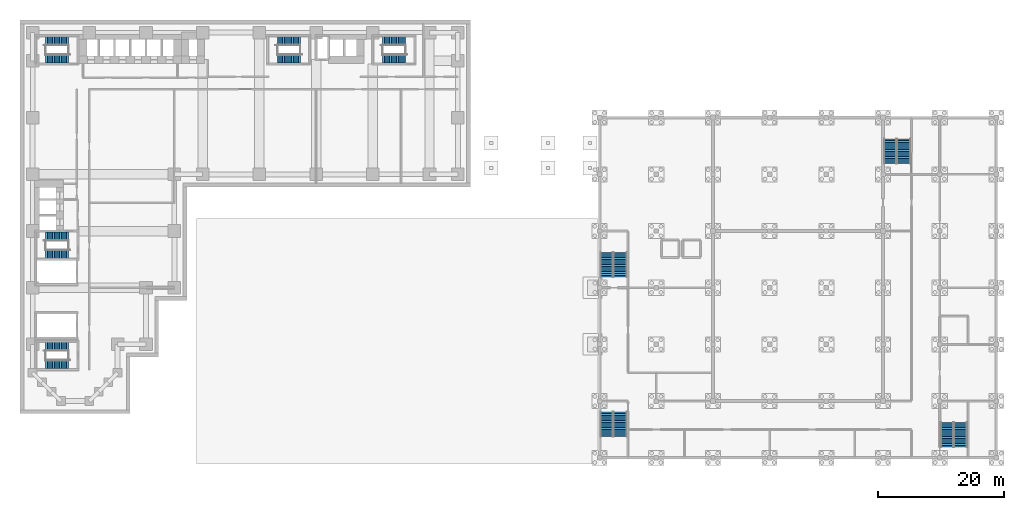
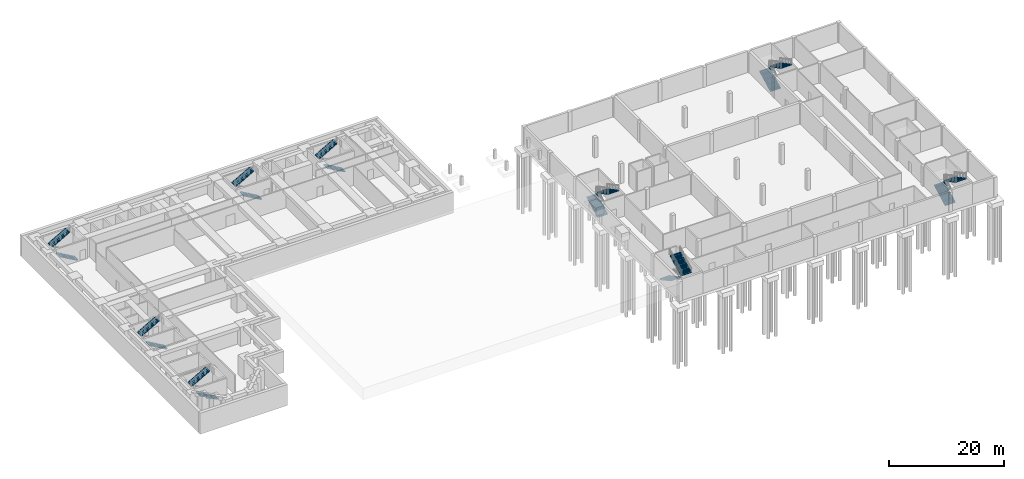
# One storey, part 10 of 12: 18 stair flights, 9 elements without a shape of their own.
"""IFC4 building model written with IfcOpenShell, lengths in metres."""

from ifc_helpers import new_model, si_unit, direction, frame, origin, place, context, subcontext, project, spatial, polyline, outline, extrude, material, layer, layer_set, type_object, element, aggregate, save


model = new_model("IFC4")

# Units and contexts
model_context = context("Model", 3, precision=1e-05, world=origin(), true_north=direction((0.0, 1.0)))
body_context = subcontext(model_context, "Body", "Model", "MODEL_VIEW")
ifc_project = project(units=[si_unit("LENGTHUNIT", "METRE"), si_unit("AREAUNIT", "SQUARE_METRE"), si_unit("VOLUMEUNIT", "CUBIC_METRE"), si_unit("PLANEANGLEUNIT", "RADIAN"), si_unit("MASSUNIT", "GRAM", prefix="KILO")], contexts=[model_context])

# Site, building, storey
site_placement = place(None, origin())
site = spatial("IfcSite", under=ifc_project, at=site_placement, CompositionType="ELEMENT")
building_placement = place(site_placement, origin())
building = spatial("IfcBuilding", under=site, at=building_placement, Name="Firuza Court", CompositionType="ELEMENT")
storey_placement = place(building_placement, frame((0.0, 0.0, -4.5)))
storey = spatial("IfcBuildingStorey", under=building, at=storey_placement, Name="B1", CompositionType="ELEMENT", Elevation=-4.5)

# Stair, stair flights
ifc_material_1 = material(Name="Concrete C40/50 precast", Category="concrete")
stair_type_1 = type_object("IfcStairType", Name="Stair 1350 x 4500 2 flights", PredefinedType="HALF_TURN_STAIR", material=ifc_material_1)
stair_1_placement = place(storey_placement, origin())
stair_1 = element("IfcStair", 1, at=stair_1_placement, inside=storey, type_object=stair_type_1, Name="Stair 1 B1", PredefinedType="HALF_TURN_STAIR")
ifc_material_2 = material(Name="Concrete C40/50 precast", Category="concrete")
stair_flight_type_1 = type_object("IfcStairFlightType", Name="Flight 1350 riser 160.7", PredefinedType="STRAIGHT", material=ifc_material_2)
stair_flight_1_placement = place(storey_placement, frame((42.5, 54.324951171875, 0.0), z_axis=(0.0, 0.0, 1.0), x_axis=(-1.0, 0.0, 0.0)))
stair_flight_1 = element("IfcStairFlight", 2, at=stair_flight_1_placement, type_object=stair_flight_type_1, Name="S1 flight 1", NumberOfRisers=14, NumberOfTreads=13, PredefinedType="STRAIGHT", RiserHeight=0.160714286, TreadLength=0.28, context=body_context, shape_type="SweptSolid", body=[
    extrude(outline(polyline([(0.0, 0.0), (0.0, 0.16064453125), (0.280029296875, 0.16064453125), (0.280029296875, 0.321533203125), (0.56005859375, 0.321533203125), (0.56005859375, 0.482177734375), (0.840087890625, 0.482177734375), (0.840087890625, 0.642822265625), (1.1201171875, 0.642822265625), (1.1201171875, 0.803466796875), (1.39990234375, 0.803466796875), (1.39990234375, 0.96435546875), (1.679931640625, 0.96435546875), (1.679931640625, 1.125), (1.9599609375, 1.125), (1.9599609375, 1.28564453125), (2.239990234375, 1.28564453125), (2.239990234375, 1.446533203125), (2.52001953125, 1.446533203125), (2.52001953125, 1.607177734375), (2.800048828125, 1.607177734375), (2.800048828125, 1.767822265625), (3.080078125, 1.767822265625), (3.080078125, 1.928466796875), (3.360107421875, 1.928466796875), (3.360107421875, 2.08935546875), (3.639892578125, 2.08935546875), (3.639892578125, 2.25), (3.639892578125, 1.91650390625), (0.301025390625, 0.0), (0.0, 0.0)])), frame((0.0, 0.675048828125, 0.0), z_axis=(0.0, -1.0, 0.0), x_axis=(1.0, 0.0, 0.0)), (0.0, 0.0, 1.0), 1.35009765625),
])
stair_flight_2_placement = place(storey_placement, frame((38.860107421875, 57.175048828125, 2.25), z_axis=(0.0, 0.0, 1.0), x_axis=(1.0, 0.0, 0.0)))
stair_flight_2 = element("IfcStairFlight", 3, at=stair_flight_2_placement, type_object=stair_flight_type_1, Name="S1 flight 2", NumberOfRisers=14, NumberOfTreads=13, PredefinedType="STRAIGHT", RiserHeight=0.160714286, TreadLength=0.28, context=body_context, shape_type="SweptSolid", body=[
    extrude(outline(polyline([(0.0, 0.0), (0.0, 0.16064453125), (0.280029296875, 0.16064453125), (0.280029296875, 0.321533203125), (0.56005859375, 0.321533203125), (0.56005859375, 0.482177734375), (0.840087890625, 0.482177734375), (0.840087890625, 0.642822265625), (1.1201171875, 0.642822265625), (1.1201171875, 0.803466796875), (1.39990234375, 0.803466796875), (1.39990234375, 0.96435546875), (1.679931640625, 0.96435546875), (1.679931640625, 1.125), (1.9599609375, 1.125), (1.9599609375, 1.28564453125), (2.239990234375, 1.28564453125), (2.239990234375, 1.446533203125), (2.52001953125, 1.446533203125), (2.52001953125, 1.607177734375), (2.800048828125, 1.607177734375), (2.800048828125, 1.767822265625), (3.080078125, 1.767822265625), (3.080078125, 1.928466796875), (3.360107421875, 1.928466796875), (3.360107421875, 2.08935546875), (3.639892578125, 2.08935546875), (3.639892578125, 2.25), (3.639892578125, 1.91650390625), (0.301025390625, 0.0), (0.0, 0.0)])), frame((0.0, 0.675048828125, 0.0), z_axis=(0.0, -1.0, 0.0), x_axis=(1.0, 0.0, 0.0)), (0.0, 0.0, 1.0), 1.35009765625),
])
aggregate(stair_1, [stair_flight_1, stair_flight_2])

stair_2_placement = place(storey_placement, origin())
stair_2 = element("IfcStair", 4, at=stair_2_placement, inside=storey, type_object=stair_type_1, Name="Stair 2 B1", PredefinedType="HALF_TURN_STAIR")
stair_flight_3_placement = place(storey_placement, frame((5.699951171875, 23.324951171875, 0.0), z_axis=(0.0, 0.0, 1.0), x_axis=(-1.0, 0.0, 0.0)))
stair_flight_3 = element("IfcStairFlight", 5, at=stair_flight_3_placement, type_object=stair_flight_type_1, Name="S2 flight 1", NumberOfRisers=14, NumberOfTreads=13, PredefinedType="STRAIGHT", RiserHeight=0.160714286, TreadLength=0.28, context=body_context, shape_type="SweptSolid", body=[
    extrude(outline(polyline([(0.0, 0.0), (0.0, 0.16064453125), (0.280029296875, 0.16064453125), (0.280029296875, 0.321533203125), (0.56005859375, 0.321533203125), (0.56005859375, 0.482177734375), (0.840087890625, 0.482177734375), (0.840087890625, 0.642822265625), (1.1201171875, 0.642822265625), (1.1201171875, 0.803466796875), (1.39990234375, 0.803466796875), (1.39990234375, 0.96435546875), (1.679931640625, 0.96435546875), (1.679931640625, 1.125), (1.9599609375, 1.125), (1.9599609375, 1.28564453125), (2.239990234375, 1.28564453125), (2.239990234375, 1.446533203125), (2.52001953125, 1.446533203125), (2.52001953125, 1.607177734375), (2.800048828125, 1.607177734375), (2.800048828125, 1.767822265625), (3.080078125, 1.767822265625), (3.080078125, 1.928466796875), (3.360107421875, 1.928466796875), (3.360107421875, 2.08935546875), (3.639892578125, 2.08935546875), (3.639892578125, 2.25), (3.639892578125, 1.91650390625), (0.301025390625, 0.0), (0.0, 0.0)])), frame((0.0, 0.675048828125, 0.0), z_axis=(0.0, -1.0, 0.0), x_axis=(1.0, 0.0, 0.0)), (0.0, 0.0, 1.0), 1.35009765625),
])
stair_flight_4_placement = place(storey_placement, frame((2.06005859375, 26.175048828125, 2.25), z_axis=(0.0, 0.0, 1.0), x_axis=(1.0, 0.0, 0.0)))
stair_flight_4 = element("IfcStairFlight", 6, at=stair_flight_4_placement, type_object=stair_flight_type_1, Name="S2 flight 2", NumberOfRisers=14, NumberOfTreads=13, PredefinedType="STRAIGHT", RiserHeight=0.160714286, TreadLength=0.28, context=body_context, shape_type="SweptSolid", body=[
    extrude(outline(polyline([(0.0, 0.0), (0.0, 0.16064453125), (0.280029296875, 0.16064453125), (0.280029296875, 0.321533203125), (0.56005859375, 0.321533203125), (0.56005859375, 0.482177734375), (0.840087890625, 0.482177734375), (0.840087890625, 0.642822265625), (1.1201171875, 0.642822265625), (1.1201171875, 0.803466796875), (1.39990234375, 0.803466796875), (1.39990234375, 0.96435546875), (1.679931640625, 0.96435546875), (1.679931640625, 1.125), (1.9599609375, 1.125), (1.9599609375, 1.28564453125), (2.239990234375, 1.28564453125), (2.239990234375, 1.446533203125), (2.52001953125, 1.446533203125), (2.52001953125, 1.607177734375), (2.800048828125, 1.607177734375), (2.800048828125, 1.767822265625), (3.080078125, 1.767822265625), (3.080078125, 1.928466796875), (3.360107421875, 1.928466796875), (3.360107421875, 2.08935546875), (3.639892578125, 2.08935546875), (3.639892578125, 2.25), (3.639892578125, 1.91650390625), (0.301025390625, 0.0), (0.0, 0.0)])), frame((0.0, 0.675048828125, 0.0), z_axis=(0.0, -1.0, 0.0), x_axis=(1.0, 0.0, 0.0)), (0.0, 0.0, 1.0), 1.35009765625),
])
aggregate(stair_2, [stair_flight_3, stair_flight_4])

stair_3_placement = place(storey_placement, origin())
stair_3 = element("IfcStair", 7, at=stair_3_placement, inside=storey, type_object=stair_type_1, Name="Stair 3 B1", PredefinedType="HALF_TURN_STAIR")
stair_flight_5_placement = place(storey_placement, frame((5.699951171875, 54.324951171875, 0.0), z_axis=(0.0, 0.0, 1.0), x_axis=(-1.0, 0.0, 0.0)))
stair_flight_5 = element("IfcStairFlight", 8, at=stair_flight_5_placement, type_object=stair_flight_type_1, Name="S3 flight 1", NumberOfRisers=14, NumberOfTreads=13, PredefinedType="STRAIGHT", RiserHeight=0.160714286, TreadLength=0.28, context=body_context, shape_type="SweptSolid", body=[
    extrude(outline(polyline([(0.0, 0.0), (0.0, 0.16064453125), (0.280029296875, 0.16064453125), (0.280029296875, 0.321533203125), (0.56005859375, 0.321533203125), (0.56005859375, 0.482177734375), (0.840087890625, 0.482177734375), (0.840087890625, 0.642822265625), (1.1201171875, 0.642822265625), (1.1201171875, 0.803466796875), (1.39990234375, 0.803466796875), (1.39990234375, 0.96435546875), (1.679931640625, 0.96435546875), (1.679931640625, 1.125), (1.9599609375, 1.125), (1.9599609375, 1.28564453125), (2.239990234375, 1.28564453125), (2.239990234375, 1.446533203125), (2.52001953125, 1.446533203125), (2.52001953125, 1.607177734375), (2.800048828125, 1.607177734375), (2.800048828125, 1.767822265625), (3.080078125, 1.767822265625), (3.080078125, 1.928466796875), (3.360107421875, 1.928466796875), (3.360107421875, 2.08935546875), (3.639892578125, 2.08935546875), (3.639892578125, 2.25), (3.639892578125, 1.91650390625), (0.301025390625, 0.0), (0.0, 0.0)])), frame((0.0, 0.675048828125, 0.0), z_axis=(0.0, -1.0, 0.0), x_axis=(1.0, 0.0, 0.0)), (0.0, 0.0, 1.0), 1.35009765625),
])
stair_flight_6_placement = place(storey_placement, frame((2.06005859375, 57.175048828125, 2.25), z_axis=(0.0, 0.0, 1.0), x_axis=(1.0, 0.0, 0.0)))
stair_flight_6 = element("IfcStairFlight", 9, at=stair_flight_6_placement, type_object=stair_flight_type_1, Name="S3 flight 2", NumberOfRisers=14, NumberOfTreads=13, PredefinedType="STRAIGHT", RiserHeight=0.160714286, TreadLength=0.28, context=body_context, shape_type="SweptSolid", body=[
    extrude(outline(polyline([(0.0, 0.0), (0.0, 0.16064453125), (0.280029296875, 0.16064453125), (0.280029296875, 0.321533203125), (0.56005859375, 0.321533203125), (0.56005859375, 0.482177734375), (0.840087890625, 0.482177734375), (0.840087890625, 0.642822265625), (1.1201171875, 0.642822265625), (1.1201171875, 0.803466796875), (1.39990234375, 0.803466796875), (1.39990234375, 0.96435546875), (1.679931640625, 0.96435546875), (1.679931640625, 1.125), (1.9599609375, 1.125), (1.9599609375, 1.28564453125), (2.239990234375, 1.28564453125), (2.239990234375, 1.446533203125), (2.52001953125, 1.446533203125), (2.52001953125, 1.607177734375), (2.800048828125, 1.607177734375), (2.800048828125, 1.767822265625), (3.080078125, 1.767822265625), (3.080078125, 1.928466796875), (3.360107421875, 1.928466796875), (3.360107421875, 2.08935546875), (3.639892578125, 2.08935546875), (3.639892578125, 2.25), (3.639892578125, 1.91650390625), (0.301025390625, 0.0), (0.0, 0.0)])), frame((0.0, 0.675048828125, 0.0), z_axis=(0.0, -1.0, 0.0), x_axis=(1.0, 0.0, 0.0)), (0.0, 0.0, 1.0), 1.35009765625),
])
aggregate(stair_3, [stair_flight_5, stair_flight_6])

stair_4_placement = place(storey_placement, origin())
stair_4 = element("IfcStair", 10, at=stair_4_placement, inside=storey, type_object=stair_type_1, Name="Stair 4 B1", PredefinedType="HALF_TURN_STAIR")
stair_flight_7_placement = place(storey_placement, frame((59.199951171875, 54.324951171875, 0.0), z_axis=(0.0, 0.0, 1.0), x_axis=(-1.0, 0.0, 0.0)))
stair_flight_7 = element("IfcStairFlight", 11, at=stair_flight_7_placement, type_object=stair_flight_type_1, Name="S4 flight 1", NumberOfRisers=14, NumberOfTreads=13, PredefinedType="STRAIGHT", RiserHeight=0.160714286, TreadLength=0.28, context=body_context, shape_type="SweptSolid", body=[
    extrude(outline(polyline([(0.0, 0.0), (0.0, 0.16064453125), (0.280029296875, 0.16064453125), (0.280029296875, 0.321533203125), (0.56005859375, 0.321533203125), (0.56005859375, 0.482177734375), (0.840087890625, 0.482177734375), (0.840087890625, 0.642822265625), (1.1201171875, 0.642822265625), (1.1201171875, 0.803466796875), (1.39990234375, 0.803466796875), (1.39990234375, 0.96435546875), (1.679931640625, 0.96435546875), (1.679931640625, 1.125), (1.9599609375, 1.125), (1.9599609375, 1.28564453125), (2.239990234375, 1.28564453125), (2.239990234375, 1.446533203125), (2.52001953125, 1.446533203125), (2.52001953125, 1.607177734375), (2.800048828125, 1.607177734375), (2.800048828125, 1.767822265625), (3.080078125, 1.767822265625), (3.080078125, 1.928466796875), (3.360107421875, 1.928466796875), (3.360107421875, 2.08935546875), (3.639892578125, 2.08935546875), (3.639892578125, 2.25), (3.639892578125, 1.91650390625), (0.301025390625, 0.0), (0.0, 0.0)])), frame((0.0, 0.675048828125, 0.0), z_axis=(0.0, -1.0, 0.0), x_axis=(1.0, 0.0, 0.0)), (0.0, 0.0, 1.0), 1.35009765625),
])
stair_flight_8_placement = place(storey_placement, frame((55.56005859375, 57.175048828125, 2.25), z_axis=(0.0, 0.0, 1.0), x_axis=(1.0, 0.0, 0.0)))
stair_flight_8 = element("IfcStairFlight", 12, at=stair_flight_8_placement, type_object=stair_flight_type_1, Name="S4 flight 2", NumberOfRisers=14, NumberOfTreads=13, PredefinedType="STRAIGHT", RiserHeight=0.160714286, TreadLength=0.28, context=body_context, shape_type="SweptSolid", body=[
    extrude(outline(polyline([(0.0, 0.0), (0.0, 0.16064453125), (0.280029296875, 0.16064453125), (0.280029296875, 0.321533203125), (0.56005859375, 0.321533203125), (0.56005859375, 0.482177734375), (0.840087890625, 0.482177734375), (0.840087890625, 0.642822265625), (1.1201171875, 0.642822265625), (1.1201171875, 0.803466796875), (1.39990234375, 0.803466796875), (1.39990234375, 0.96435546875), (1.679931640625, 0.96435546875), (1.679931640625, 1.125), (1.9599609375, 1.125), (1.9599609375, 1.28564453125), (2.239990234375, 1.28564453125), (2.239990234375, 1.446533203125), (2.52001953125, 1.446533203125), (2.52001953125, 1.607177734375), (2.800048828125, 1.607177734375), (2.800048828125, 1.767822265625), (3.080078125, 1.767822265625), (3.080078125, 1.928466796875), (3.360107421875, 1.928466796875), (3.360107421875, 2.08935546875), (3.639892578125, 2.08935546875), (3.639892578125, 2.25), (3.639892578125, 1.91650390625), (0.301025390625, 0.0), (0.0, 0.0)])), frame((0.0, 0.675048828125, 0.0), z_axis=(0.0, -1.0, 0.0), x_axis=(1.0, 0.0, 0.0)), (0.0, 0.0, 1.0), 1.35009765625),
])
aggregate(stair_4, [stair_flight_7, stair_flight_8])

stair_5_placement = place(storey_placement, origin())
stair_5 = element("IfcStair", 13, at=stair_5_placement, inside=storey, type_object=stair_type_1, Name="Stair 5 B1", PredefinedType="HALF_TURN_STAIR")
stair_flight_9_placement = place(storey_placement, frame((5.699951171875, 5.824951171875, 0.0), z_axis=(0.0, 0.0, 1.0), x_axis=(-1.0, 0.0, 0.0)))
stair_flight_9 = element("IfcStairFlight", 14, at=stair_flight_9_placement, type_object=stair_flight_type_1, Name="S5 flight 1", NumberOfRisers=14, NumberOfTreads=13, PredefinedType="STRAIGHT", RiserHeight=0.160714286, TreadLength=0.28, context=body_context, shape_type="SweptSolid", body=[
    extrude(outline(polyline([(0.0, 0.0), (0.0, 0.16064453125), (0.280029296875, 0.16064453125), (0.280029296875, 0.321533203125), (0.56005859375, 0.321533203125), (0.56005859375, 0.482177734375), (0.840087890625, 0.482177734375), (0.840087890625, 0.642822265625), (1.1201171875, 0.642822265625), (1.1201171875, 0.803466796875), (1.39990234375, 0.803466796875), (1.39990234375, 0.96435546875), (1.679931640625, 0.96435546875), (1.679931640625, 1.125), (1.9599609375, 1.125), (1.9599609375, 1.28564453125), (2.239990234375, 1.28564453125), (2.239990234375, 1.446533203125), (2.52001953125, 1.446533203125), (2.52001953125, 1.607177734375), (2.800048828125, 1.607177734375), (2.800048828125, 1.767822265625), (3.080078125, 1.767822265625), (3.080078125, 1.928466796875), (3.360107421875, 1.928466796875), (3.360107421875, 2.08935546875), (3.639892578125, 2.08935546875), (3.639892578125, 2.25), (3.639892578125, 1.91650390625), (0.301025390625, 0.0), (0.0, 0.0)])), frame((0.0, 0.675048828125, 0.0), z_axis=(0.0, -1.0, 0.0), x_axis=(1.0, 0.0, 0.0)), (0.0, 0.0, 1.0), 1.35009765625),
])
stair_flight_10_placement = place(storey_placement, frame((2.06005859375, 8.675048828125, 2.25), z_axis=(0.0, 0.0, 1.0), x_axis=(1.0, 0.0, 0.0)))
stair_flight_10 = element("IfcStairFlight", 15, at=stair_flight_10_placement, type_object=stair_flight_type_1, Name="S5 flight 2", NumberOfRisers=14, NumberOfTreads=13, PredefinedType="STRAIGHT", RiserHeight=0.160714286, TreadLength=0.28, context=body_context, shape_type="SweptSolid", body=[
    extrude(outline(polyline([(0.0, 0.0), (0.0, 0.16064453125), (0.280029296875, 0.16064453125), (0.280029296875, 0.321533203125), (0.56005859375, 0.321533203125), (0.56005859375, 0.482177734375), (0.840087890625, 0.482177734375), (0.840087890625, 0.642822265625), (1.1201171875, 0.642822265625), (1.1201171875, 0.803466796875), (1.39990234375, 0.803466796875), (1.39990234375, 0.96435546875), (1.679931640625, 0.96435546875), (1.679931640625, 1.125), (1.9599609375, 1.125), (1.9599609375, 1.28564453125), (2.239990234375, 1.28564453125), (2.239990234375, 1.446533203125), (2.52001953125, 1.446533203125), (2.52001953125, 1.607177734375), (2.800048828125, 1.607177734375), (2.800048828125, 1.767822265625), (3.080078125, 1.767822265625), (3.080078125, 1.928466796875), (3.360107421875, 1.928466796875), (3.360107421875, 2.08935546875), (3.639892578125, 2.08935546875), (3.639892578125, 2.25), (3.639892578125, 1.91650390625), (0.301025390625, 0.0), (0.0, 0.0)])), frame((0.0, 0.675048828125, 0.0), z_axis=(0.0, -1.0, 0.0), x_axis=(1.0, 0.0, 0.0)), (0.0, 0.0, 1.0), 1.35009765625),
])
aggregate(stair_5, [stair_flight_9, stair_flight_10])

ifc_material_3 = material(Name="Concrete C40/50", Category="concrete")
stair_type_2 = type_object("IfcStairType", Name="HALL STAIR", PredefinedType="NOTDEFINED", material=ifc_material_3)
stair_6_placement = place(storey_placement, origin())
stair_6 = element("IfcStair", 16, at=stair_6_placement, inside=storey, type_object=stair_type_2, Name="Stair H1 B1", PredefinedType="NOTDEFINED")
ifc_material_4 = material(Name="Concrete C40/50", Category="concrete")
ifc_layer = layer(ifc_material_4, 0.14990234375)
ifc_layer_set = layer_set([ifc_layer], Name="Concrete C40/50")
stair_flight_type_2 = type_object("IfcStairFlightType", Name="HALL STAIR FLIGHT", PredefinedType="STRAIGHT", material=ifc_layer_set)
stair_flight_11_placement = place(storey_placement, frame((91.16259765625, -1.699951171875, 0.0), z_axis=(0.0, 0.0, 1.0), x_axis=(0.0, -1.0, 0.0)))
stair_flight_11 = element("IfcStairFlight", 17, at=stair_flight_11_placement, type_object=stair_flight_type_2, Name="HS-1 flight 1", NumberOfRisers=15, NumberOfTreads=14, PredefinedType="STRAIGHT", RiserHeight=0.15, TreadLength=0.28, context=body_context, shape_type="SweptSolid", body=[
    extrude(outline(polyline([(0.0, 0.0), (0.0, 0.14990234375), (0.280029296875, 0.14990234375), (0.280029296875, 0.300048828125), (0.56005859375, 0.300048828125), (0.56005859375, 0.449951171875), (0.840087890625, 0.449951171875), (0.840087890625, 0.60009765625), (1.1201171875, 0.60009765625), (1.1201171875, 0.75), (1.39990234375, 0.75), (1.39990234375, 0.89990234375), (1.679931640625, 0.89990234375), (1.679931640625, 1.050048828125), (1.9599609375, 1.050048828125), (1.9599609375, 1.199951171875), (2.239990234375, 1.199951171875), (2.239990234375, 1.35009765625), (2.52001953125, 1.35009765625), (2.52001953125, 1.5), (2.800048828125, 1.5), (2.800048828125, 1.64990234375), (3.080078125, 1.64990234375), (3.080078125, 1.800048828125), (3.360107421875, 1.800048828125), (3.360107421875, 1.949951171875), (3.639892578125, 1.949951171875), (3.639892578125, 2.10009765625), (3.919921875, 2.10009765625), (3.919921875, 2.25), (3.919921875, 1.929931640625), (0.3173828125, 0.0), (0.0, 0.0)])), frame((0.0, 1.03759765625, 0.0), z_axis=(0.0, -1.0, 0.0), x_axis=(1.0, 0.0, 0.0)), (0.0, 0.0, 1.0), 2.074951171875),
])
stair_flight_12_placement = place(storey_placement, frame((93.28759765625, -5.6201171875, 2.25), z_axis=(0.0, 0.0, 1.0), x_axis=(0.0, 1.0, 0.0)))
stair_flight_12 = element("IfcStairFlight", 18, at=stair_flight_12_placement, type_object=stair_flight_type_2, Name="HS-1 flight 2", NumberOfRisers=15, NumberOfTreads=14, PredefinedType="STRAIGHT", RiserHeight=0.15, TreadLength=0.28, context=body_context, shape_type="SweptSolid", body=[
    extrude(outline(polyline([(0.0, 0.0), (0.0, 0.14990234375), (0.280029296875, 0.14990234375), (0.280029296875, 0.300048828125), (0.56005859375, 0.300048828125), (0.56005859375, 0.449951171875), (0.840087890625, 0.449951171875), (0.840087890625, 0.60009765625), (1.1201171875, 0.60009765625), (1.1201171875, 0.75), (1.39990234375, 0.75), (1.39990234375, 0.89990234375), (1.679931640625, 0.89990234375), (1.679931640625, 1.050048828125), (1.9599609375, 1.050048828125), (1.9599609375, 1.199951171875), (2.239990234375, 1.199951171875), (2.239990234375, 1.35009765625), (2.52001953125, 1.35009765625), (2.52001953125, 1.5), (2.800048828125, 1.5), (2.800048828125, 1.64990234375), (3.080078125, 1.64990234375), (3.080078125, 1.800048828125), (3.360107421875, 1.800048828125), (3.360107421875, 1.949951171875), (3.639892578125, 1.949951171875), (3.639892578125, 2.10009765625), (3.919921875, 2.10009765625), (3.919921875, 2.25), (3.919921875, 1.929931640625), (0.3173828125, 0.0), (0.0, 0.0)])), frame((0.0, 1.08740234375, 0.0), z_axis=(0.0, -1.0, 0.0), x_axis=(1.0, 0.0, 0.0)), (0.0, 0.0, 1.0), 2.175048828125),
])
aggregate(stair_6, [stair_flight_11, stair_flight_12])

stair_7_placement = place(storey_placement, origin())
stair_7 = element("IfcStair", 19, at=stair_7_placement, inside=storey, type_object=stair_type_2, Name="Stair H2 B1", PredefinedType="NOTDEFINED")
stair_flight_13_placement = place(storey_placement, frame((145.16259765625, -7.300048828125, 0.0), z_axis=(0.0, 0.0, 1.0), x_axis=(0.0, 1.0, 0.0)))
stair_flight_13 = element("IfcStairFlight", 20, at=stair_flight_13_placement, type_object=stair_flight_type_2, Name="HS-2 flight 1", NumberOfRisers=15, NumberOfTreads=14, PredefinedType="STRAIGHT", RiserHeight=0.15, TreadLength=0.28, context=body_context, shape_type="SweptSolid", body=[
    extrude(outline(polyline([(0.0, 0.0), (0.0, 0.14990234375), (0.280029296875, 0.14990234375), (0.280029296875, 0.300048828125), (0.56005859375, 0.300048828125), (0.56005859375, 0.449951171875), (0.840087890625, 0.449951171875), (0.840087890625, 0.60009765625), (1.1201171875, 0.60009765625), (1.1201171875, 0.75), (1.39990234375, 0.75), (1.39990234375, 0.89990234375), (1.679931640625, 0.89990234375), (1.679931640625, 1.050048828125), (1.9599609375, 1.050048828125), (1.9599609375, 1.199951171875), (2.239990234375, 1.199951171875), (2.239990234375, 1.35009765625), (2.52001953125, 1.35009765625), (2.52001953125, 1.5), (2.800048828125, 1.5), (2.800048828125, 1.64990234375), (3.080078125, 1.64990234375), (3.080078125, 1.800048828125), (3.360107421875, 1.800048828125), (3.360107421875, 1.949951171875), (3.639892578125, 1.949951171875), (3.639892578125, 2.10009765625), (3.919921875, 2.10009765625), (3.919921875, 2.25), (3.919921875, 1.929931640625), (0.3173828125, 0.0), (0.0, 0.0)])), frame((0.0, 1.03759765625, 0.0), z_axis=(0.0, -1.0, 0.0), x_axis=(1.0, 0.0, 0.0)), (0.0, 0.0, 1.0), 2.074951171875),
])
stair_flight_14_placement = place(storey_placement, frame((147.28759765625, -3.3798828125, 2.25), z_axis=(0.0, 0.0, 1.0), x_axis=(0.0, -1.0, 0.0)))
stair_flight_14 = element("IfcStairFlight", 21, at=stair_flight_14_placement, type_object=stair_flight_type_2, Name="HS-2 flight 2", NumberOfRisers=15, NumberOfTreads=14, PredefinedType="STRAIGHT", RiserHeight=0.15, TreadLength=0.28, context=body_context, shape_type="SweptSolid", body=[
    extrude(outline(polyline([(0.0, 0.0), (0.0, 0.14990234375), (0.280029296875, 0.14990234375), (0.280029296875, 0.300048828125), (0.56005859375, 0.300048828125), (0.56005859375, 0.449951171875), (0.840087890625, 0.449951171875), (0.840087890625, 0.60009765625), (1.1201171875, 0.60009765625), (1.1201171875, 0.75), (1.39990234375, 0.75), (1.39990234375, 0.89990234375), (1.679931640625, 0.89990234375), (1.679931640625, 1.050048828125), (1.9599609375, 1.050048828125), (1.9599609375, 1.199951171875), (2.239990234375, 1.199951171875), (2.239990234375, 1.35009765625), (2.52001953125, 1.35009765625), (2.52001953125, 1.5), (2.800048828125, 1.5), (2.800048828125, 1.64990234375), (3.080078125, 1.64990234375), (3.080078125, 1.800048828125), (3.360107421875, 1.800048828125), (3.360107421875, 1.949951171875), (3.639892578125, 1.949951171875), (3.639892578125, 2.10009765625), (3.919921875, 2.10009765625), (3.919921875, 2.25), (3.919921875, 1.929931640625), (0.3173828125, 0.0), (0.0, 0.0)])), frame((0.0, 1.08740234375, 0.0), z_axis=(0.0, -1.0, 0.0), x_axis=(1.0, 0.0, 0.0)), (0.0, 0.0, 1.0), 2.175048828125),
])
aggregate(stair_7, [stair_flight_13, stair_flight_14])

stair_8_placement = place(storey_placement, origin())
stair_8 = element("IfcStair", 22, at=stair_8_placement, inside=storey, type_object=stair_type_2, Name="Stair H3 B1", PredefinedType="NOTDEFINED")
stair_flight_15_placement = place(storey_placement, frame((91.16259765625, 19.699951171875, 0.0), z_axis=(0.0, 0.0, 1.0), x_axis=(0.0, 1.0, 0.0)))
stair_flight_15 = element("IfcStairFlight", 23, at=stair_flight_15_placement, type_object=stair_flight_type_2, Name="HS-3 flight 1", NumberOfRisers=15, NumberOfTreads=14, PredefinedType="STRAIGHT", RiserHeight=0.15, TreadLength=0.28, context=body_context, shape_type="SweptSolid", body=[
    extrude(outline(polyline([(0.0, 0.0), (0.0, 0.14990234375), (0.280029296875, 0.14990234375), (0.280029296875, 0.300048828125), (0.56005859375, 0.300048828125), (0.56005859375, 0.449951171875), (0.840087890625, 0.449951171875), (0.840087890625, 0.60009765625), (1.1201171875, 0.60009765625), (1.1201171875, 0.75), (1.39990234375, 0.75), (1.39990234375, 0.89990234375), (1.679931640625, 0.89990234375), (1.679931640625, 1.050048828125), (1.9599609375, 1.050048828125), (1.9599609375, 1.199951171875), (2.239990234375, 1.199951171875), (2.239990234375, 1.35009765625), (2.52001953125, 1.35009765625), (2.52001953125, 1.5), (2.800048828125, 1.5), (2.800048828125, 1.64990234375), (3.080078125, 1.64990234375), (3.080078125, 1.800048828125), (3.360107421875, 1.800048828125), (3.360107421875, 1.949951171875), (3.639892578125, 1.949951171875), (3.639892578125, 2.10009765625), (3.919921875, 2.10009765625), (3.919921875, 2.25), (3.919921875, 1.929931640625), (0.3173828125, 0.0), (0.0, 0.0)])), frame((0.0, 1.03759765625, 0.0), z_axis=(0.0, -1.0, 0.0), x_axis=(1.0, 0.0, 0.0)), (0.0, 0.0, 1.0), 2.074951171875),
])
stair_flight_16_placement = place(storey_placement, frame((93.28759765625, 23.6201171875, 2.25), z_axis=(0.0, 0.0, 1.0), x_axis=(0.0, -1.0, 0.0)))
stair_flight_16 = element("IfcStairFlight", 24, at=stair_flight_16_placement, type_object=stair_flight_type_2, Name="HS-3 flight 2", NumberOfRisers=15, NumberOfTreads=14, PredefinedType="STRAIGHT", RiserHeight=0.15, TreadLength=0.28, context=body_context, shape_type="SweptSolid", body=[
    extrude(outline(polyline([(0.0, 0.0), (0.0, 0.14990234375), (0.280029296875, 0.14990234375), (0.280029296875, 0.300048828125), (0.56005859375, 0.300048828125), (0.56005859375, 0.449951171875), (0.840087890625, 0.449951171875), (0.840087890625, 0.60009765625), (1.1201171875, 0.60009765625), (1.1201171875, 0.75), (1.39990234375, 0.75), (1.39990234375, 0.89990234375), (1.679931640625, 0.89990234375), (1.679931640625, 1.050048828125), (1.9599609375, 1.050048828125), (1.9599609375, 1.199951171875), (2.239990234375, 1.199951171875), (2.239990234375, 1.35009765625), (2.52001953125, 1.35009765625), (2.52001953125, 1.5), (2.800048828125, 1.5), (2.800048828125, 1.64990234375), (3.080078125, 1.64990234375), (3.080078125, 1.800048828125), (3.360107421875, 1.800048828125), (3.360107421875, 1.949951171875), (3.639892578125, 1.949951171875), (3.639892578125, 2.10009765625), (3.919921875, 2.10009765625), (3.919921875, 2.25), (3.919921875, 1.929931640625), (0.3173828125, 0.0), (0.0, 0.0)])), frame((0.0, 1.08740234375, 0.0), z_axis=(0.0, -1.0, 0.0), x_axis=(1.0, 0.0, 0.0)), (0.0, 0.0, 1.0), 2.175048828125),
])
aggregate(stair_8, [stair_flight_15, stair_flight_16])

stair_9_placement = place(storey_placement, origin())
stair_9 = element("IfcStair", 25, at=stair_9_placement, inside=storey, type_object=stair_type_2, Name="Stair H4 B1", PredefinedType="NOTDEFINED")
stair_flight_17_placement = place(storey_placement, frame((136.16259765625, 37.699951171875, 0.0), z_axis=(0.0, 0.0, 1.0), x_axis=(0.0, 1.0, 0.0)))
stair_flight_17 = element("IfcStairFlight", 26, at=stair_flight_17_placement, type_object=stair_flight_type_2, Name="HS-4 flight 1", NumberOfRisers=15, NumberOfTreads=14, PredefinedType="STRAIGHT", RiserHeight=0.15, TreadLength=0.28, context=body_context, shape_type="SweptSolid", body=[
    extrude(outline(polyline([(0.0, 0.0), (0.0, 0.14990234375), (0.280029296875, 0.14990234375), (0.280029296875, 0.300048828125), (0.56005859375, 0.300048828125), (0.56005859375, 0.449951171875), (0.840087890625, 0.449951171875), (0.840087890625, 0.60009765625), (1.1201171875, 0.60009765625), (1.1201171875, 0.75), (1.39990234375, 0.75), (1.39990234375, 0.89990234375), (1.679931640625, 0.89990234375), (1.679931640625, 1.050048828125), (1.9599609375, 1.050048828125), (1.9599609375, 1.199951171875), (2.239990234375, 1.199951171875), (2.239990234375, 1.35009765625), (2.52001953125, 1.35009765625), (2.52001953125, 1.5), (2.800048828125, 1.5), (2.800048828125, 1.64990234375), (3.080078125, 1.64990234375), (3.080078125, 1.800048828125), (3.360107421875, 1.800048828125), (3.360107421875, 1.949951171875), (3.639892578125, 1.949951171875), (3.639892578125, 2.10009765625), (3.919921875, 2.10009765625), (3.919921875, 2.25), (3.919921875, 1.929931640625), (0.3173828125, 0.0), (0.0, 0.0)])), frame((0.0, 1.03759765625, 0.0), z_axis=(0.0, -1.0, 0.0), x_axis=(1.0, 0.0, 0.0)), (0.0, 0.0, 1.0), 2.074951171875),
])
stair_flight_18_placement = place(storey_placement, frame((138.28759765625, 41.6201171875, 2.25), z_axis=(0.0, 0.0, 1.0), x_axis=(0.0, -1.0, 0.0)))
stair_flight_18 = element("IfcStairFlight", 27, at=stair_flight_18_placement, type_object=stair_flight_type_2, Name="HS-4 flight 2", NumberOfRisers=15, NumberOfTreads=14, PredefinedType="STRAIGHT", RiserHeight=0.15, TreadLength=0.28, context=body_context, shape_type="SweptSolid", body=[
    extrude(outline(polyline([(0.0, 0.0), (0.0, 0.14990234375), (0.280029296875, 0.14990234375), (0.280029296875, 0.300048828125), (0.56005859375, 0.300048828125), (0.56005859375, 0.449951171875), (0.840087890625, 0.449951171875), (0.840087890625, 0.60009765625), (1.1201171875, 0.60009765625), (1.1201171875, 0.75), (1.39990234375, 0.75), (1.39990234375, 0.89990234375), (1.679931640625, 0.89990234375), (1.679931640625, 1.050048828125), (1.9599609375, 1.050048828125), (1.9599609375, 1.199951171875), (2.239990234375, 1.199951171875), (2.239990234375, 1.35009765625), (2.52001953125, 1.35009765625), (2.52001953125, 1.5), (2.800048828125, 1.5), (2.800048828125, 1.64990234375), (3.080078125, 1.64990234375), (3.080078125, 1.800048828125), (3.360107421875, 1.800048828125), (3.360107421875, 1.949951171875), (3.639892578125, 1.949951171875), (3.639892578125, 2.10009765625), (3.919921875, 2.10009765625), (3.919921875, 2.25), (3.919921875, 1.929931640625), (0.3173828125, 0.0), (0.0, 0.0)])), frame((0.0, 1.08740234375, 0.0), z_axis=(0.0, -1.0, 0.0), x_axis=(1.0, 0.0, 0.0)), (0.0, 0.0, 1.0), 2.175048828125),
])
aggregate(stair_9, [stair_flight_17, stair_flight_18])

save(model, "model.ifc")
